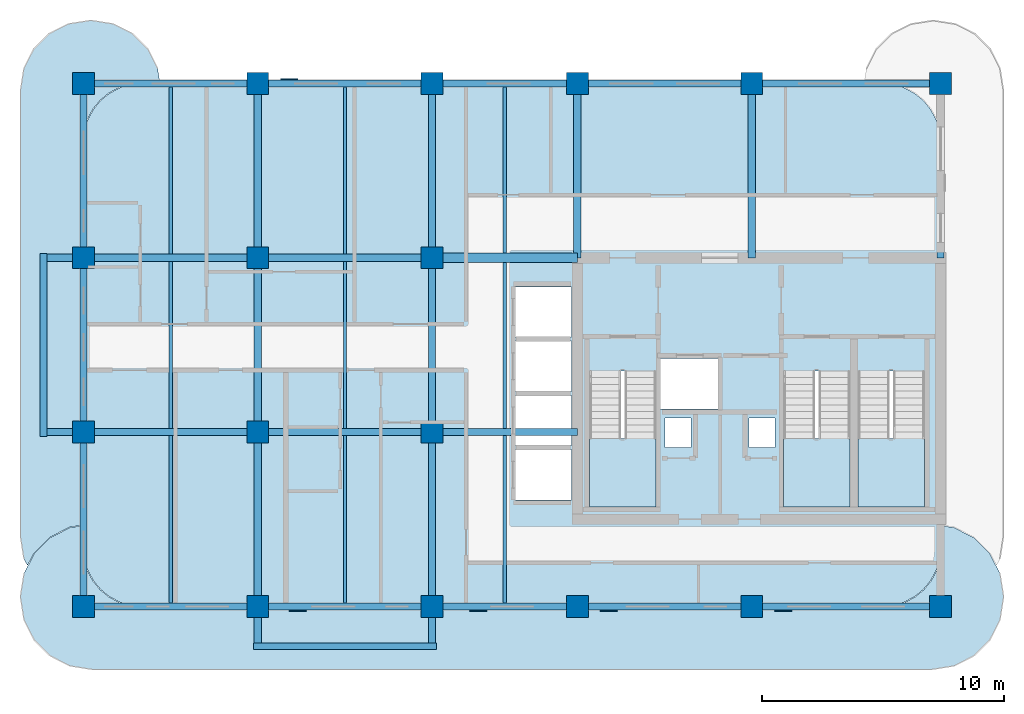
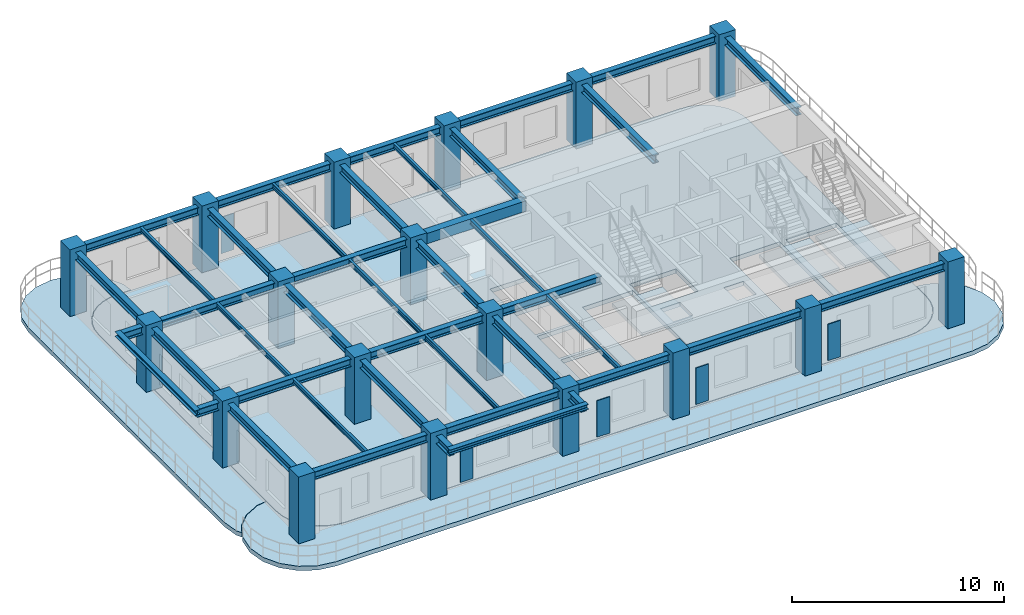
# One storey, part 1 of 8: 39 beams, 18 columns, 6 slabs, 5 plates, 3 elements without a shape of their own.
"""IFC4 building model written with IfcOpenShell, lengths in metres."""

from ifc_helpers import new_model, si_unit, derived_unit, direction, frame, origin, origin_2d, place, context, subcontext, project, spatial, polyline, rectangle, i_section, outline, extrude, source, transform, mapped, material, layer, layer_set, material_profile, profile_set, type_object, type_shapes, element, aggregate, save


model = new_model("IFC4")

# Units and contexts
model_context = context("Model", 3, precision=1e-05, world=origin(), true_north=direction((0.0, 1.0)))
body_context = subcontext(model_context, "Body", "Model", "MODEL_VIEW")
ifc_project = project(units=[si_unit("LENGTHUNIT", "METRE"), si_unit("AREAUNIT", "SQUARE_METRE"), si_unit("VOLUMEUNIT", "CUBIC_METRE"), si_unit("PLANEANGLEUNIT", "RADIAN"), si_unit("MASSUNIT", "GRAM", prefix="KILO"), si_unit("THERMODYNAMICTEMPERATUREUNIT", "KELVIN"), si_unit("POWERUNIT", "WATT"), derived_unit("THERMALTRANSMITTANCEUNIT", [(si_unit("POWERUNIT", "WATT"), 1), (si_unit("AREAUNIT", "SQUARE_METRE"), -1), (si_unit("THERMODYNAMICTEMPERATUREUNIT", "KELVIN"), -1)])], contexts=[model_context])

# Site, building, storey
site_placement = place(None, origin())
site = spatial("IfcSite", under=ifc_project, at=site_placement, CompositionType="ELEMENT")
building_placement = place(site_placement, origin())
building = spatial("IfcBuilding", under=site, at=building_placement, Name="Zahravan Archway Hotel and Residences", CompositionType="ELEMENT")
storey_placement = place(building_placement, frame((0.0, 0.0, 232.699951171875)))
storey = spatial("IfcBuildingStorey", under=building, at=storey_placement, Name="L58", CompositionType="ELEMENT", Elevation=232.699951171875)

# Columns
ifc_material_1 = material(Name="Concrete C60/75", Category="concrete")
ifc_material_profile_1 = material_profile(ifc_material_1, rectangle(XDim=0.89990234375, YDim=0.89990234375, at=origin_2d()), Name="RC-COL-900x900", Category="concrete")
ifc_profile_set_1 = profile_set([ifc_material_profile_1], Name="Concrete C60/75")
column_type = type_object("IfcColumnType", Name="COL-RC-900", PredefinedType="COLUMN", material=ifc_profile_set_1)
shared_shape_1 = source(origin(), body_context, "Body", "SweptSolid", [
    extrude(rectangle(XDim=0.89990234375, YDim=0.89990234375, at=origin_2d()), origin(), (0.0, 0.0, 1.0), 3.85009765625),
])
type_shapes(column_type, [shared_shape_1])
for number, where, z_axis, x_axis, name in (
    (1, (14.39990234375, 0.0, 0.0), (0.0, 0.0, 1.0), (1.0, 0.0, 0.0), "L58 Column 3-A"),
    (2, (14.39990234375, 7.199951171875, 0.0), (0.0, 0.0, 1.0), (1.0, 0.0, 0.0), "L58 Column 3-B"),
    (3, (14.39990234375, 14.39990234375, 0.0), (0.0, 0.0, 1.0), (1.0, 0.0, 0.0), "L58 Column 3-C"),
    (4, (14.39990234375, 21.60009765625, 0.0), (0.0, 0.0, 1.0), (1.0, 0.0, 0.0), "L58 Column 3-D"),
    (5, (21.60009765625, 0.0, 0.0), (0.0, 0.0, 1.0), (1.0, 0.0, 0.0), "L58 Column 4-A"),
    (6, (21.60009765625, 7.199951171875, 0.0), (0.0, 0.0, 1.0), (1.0, 0.0, 0.0), "L58 Column 4-B"),
    (7, (21.60009765625, 14.39990234375, 0.0), (0.0, 0.0, 1.0), (1.0, 0.0, 0.0), "L58 Column 4-C"),
    (8, (21.60009765625, 21.60009765625, 0.0), (0.0, 0.0, 1.0), (1.0, 0.0, 0.0), "L58 Column 4-D"),
    (9, (28.800048828125, 0.0, 0.0), (0.0, 0.0, 1.0), (1.0, 0.0, 0.0), "L58 Column 5-A"),
    (10, (28.800048828125, 7.199951171875, 0.0), (0.0, 0.0, 1.0), (1.0, 0.0, 0.0), "L58 Column 5-B"),
    (11, (28.800048828125, 14.39990234375, 0.0), (0.0, 0.0, 1.0), (1.0, 0.0, 0.0), "L58 Column 5-C"),
    (12, (28.800048828125, 21.60009765625, 0.0), (0.0, 0.0, 1.0), (1.0, 0.0, 0.0), "L58 Column 5-D"),
    (13, (34.800048828125, 0.0, 0.0), (0.0, 0.0, 1.0), (1.0, 0.0, 0.0), "L58 Column 6-A"),
    (14, (34.800048828125, 21.60009765625, 0.0), (0.0, 0.0, 1.0), (1.0, 0.0, 0.0), "L58 Column 6-D"),
    (15, (42.0, 0.0, 0.0), (0.0, 0.0, 1.0), (1.0, 0.0, 0.0), "L58 Column 7-A"),
    (16, (42.0, 21.60009765625, 0.0), (0.0, 0.0, 1.0), (1.0, 0.0, 0.0), "L58 Column 7-D"),
    (17, (49.800048828125, 0.0, 0.0), (0.0, 0.0, 1.0), (1.0, 0.0, 0.0), "L58 Column 8-A"),
    (18, (49.800048828125, 21.60009765625, 0.0), (0.0, 0.0, 1.0), (1.0, 0.0, 0.0), "L58 Column 8-D"),
):
    element("IfcColumn", number, at=place(storey_placement, frame(where, z_axis=z_axis, x_axis=x_axis)), inside=storey, type_object=column_type, Name=name, PredefinedType="COLUMN", context=body_context, shape_type="MappedRepresentation", body=[
        mapped(shared_shape_1, transform((0.0, 0.0, 0.0), scale=1.0)),
    ])

# Beams
ifc_material_2 = material(Name="Structural Steel S355JR", Category="steel")
ifc_material_profile_2 = material_profile(ifc_material_2, i_section(OverallWidth=0.280029296875, OverallDepth=0.280029296875, WebThickness=0.010498046875, FlangeThickness=0.01806640625, FilletRadius=0.02392578125, at=origin_2d()), Name="HEB 280", Category="steel")
ifc_profile_set_2 = profile_set([ifc_material_profile_2], Name="Structural Steel S355JR")
beam_type_1 = type_object("IfcBeamType", Name="BM-SPN-HEB280", PredefinedType="SPANDREL", material=ifc_profile_set_2)
shared_shape_2 = source(origin(), body_context, "Body", "SweptSolid", [
    extrude(i_section(OverallWidth=0.280029296875, OverallDepth=0.280029296875, WebThickness=0.010498046875, FlangeThickness=0.01806640625, FilletRadius=0.02392578125, at=origin_2d()), origin(), (0.0, 0.0, 1.0), 7.56005859375),
])
type_shapes(beam_type_1, [shared_shape_2])
for number, where, z_axis, x_axis, name in (
    (19, (12.75, 7.02001953125, 3.4599609375), (0.0, 1.0, 0.0), (-1.0, 0.0, 0.0), "L59 WA Balcony Edge Spandrel"),
    (20, (21.419921875, -1.64990234375, 3.4599609375), (1.0, 0.0, 0.0), (0.0, 1.0, 0.0), "L59 SA Balcony Edge Spandrel"),
):
    element("IfcBeam", number, at=place(storey_placement, frame(where, z_axis=z_axis, x_axis=x_axis)), inside=storey, type_object=beam_type_1, Name=name, PredefinedType="SPANDREL", context=body_context, shape_type="MappedRepresentation", body=[
        mapped(shared_shape_2, transform((0.0, 0.0, 0.0), scale=1.0)),
    ])
ifc_material_profile_3 = material_profile(ifc_material_1, rectangle(XDim=0.39990234375, YDim=0.60009765625, at=origin_2d()), Name="RC-LNT-400x600", Category="concrete")
ifc_profile_set_3 = profile_set([ifc_material_profile_3], Name="Concrete C60/75")
beam_type_2 = type_object("IfcBeamType", Name="LNT-RC-400x600", PredefinedType="LINTEL", material=ifc_profile_set_3)
shared_shape_3 = source(origin(), body_context, "Body", "SweptSolid", [
    extrude(rectangle(XDim=0.39990234375, YDim=0.60009765625, at=origin_2d()), origin(), (0.0, 0.0, 1.0), 6.0),
])
type_shapes(beam_type_2, [shared_shape_3])
beam_placement = place(storey_placement, frame((28.800048828125, 14.39990234375, 3.300048828125), z_axis=(1.0, 0.0, 0.0), x_axis=(0.0, 1.0, 0.0)))
element("IfcBeam", 21, at=beam_placement, inside=storey, type_object=beam_type_2, Name="L58 Core A Coupling Lintel Beam", PredefinedType="LINTEL", context=body_context, shape_type="MappedRepresentation", body=[
    mapped(shared_shape_3, transform((0.0, 0.0, 0.0), scale=1.0)),
])
ifc_material_profile_4 = material_profile(ifc_material_2, i_section(OverallWidth=0.300048828125, OverallDepth=0.449951171875, WebThickness=0.013916015625, FlangeThickness=0.02587890625, FilletRadius=0.027099609375, at=origin_2d()), Name="HEB 450", Category="steel")
ifc_profile_set_4 = profile_set([ifc_material_profile_4], Name="Structural Steel S355JR")
beam_type_3 = type_object("IfcBeamType", Name="BM-PRI-HEB450", PredefinedType="BEAM", material=ifc_profile_set_4)
shared_shape_4 = source(origin(), body_context, "Body", "SweptSolid", [
    extrude(i_section(OverallWidth=0.300048828125, OverallDepth=0.449951171875, WebThickness=0.013916015625, FlangeThickness=0.02587890625, FilletRadius=0.027099609375, at=origin_2d()), origin(), (0.0, 0.0, 1.0), 7.2001953125),
])
type_shapes(beam_type_3, [shared_shape_4])
for number, where, z_axis, x_axis, name in (
    (22, (14.39990234375, 0.0, 3.375), (1.0, 0.0, 0.0), (0.0, 1.0, 0.0), "L58 Primary Girder EW-01"),
    (23, (14.39990234375, 21.60009765625, 3.375), (1.0, 0.0, 0.0), (0.0, 1.0, 0.0), "L58 Primary Girder EW-11"),
    (24, (14.39990234375, 14.39990234375, 3.375), (0.0, 1.0, 0.0), (-1.0, 0.0, 0.0), "L58 Primary Girder NS-18"),
    (25, (21.60009765625, 14.39990234375, 3.375), (0.0, 1.0, 0.0), (-1.0, 0.0, 0.0), "L58 Primary Girder NS-21"),
    (26, (28.800048828125, 14.39990234375, 3.375), (0.0, 1.0, 0.0), (-1.0, 0.0, 0.0), "L58 Primary Girder NS-24"),
    (27, (34.800048828125, 14.39990234375, 3.375), (0.0, 1.0, 0.0), (-1.0, 0.0, 0.0), "L58 Primary Girder NS-25"),
    (28, (42.0, 14.39990234375, 3.375), (0.0, 1.0, 0.0), (-1.0, 0.0, 0.0), "L58 Primary Girder NS-26"),
    (29, (49.800048828125, 14.39990234375, 3.375), (0.0, 1.0, 0.0), (-1.0, 0.0, 0.0), "L58 Primary Girder NS-27"),
):
    element("IfcBeam", number, at=place(storey_placement, frame(where, z_axis=z_axis, x_axis=x_axis)), inside=storey, type_object=beam_type_3, Name=name, PredefinedType="BEAM", context=body_context, shape_type="MappedRepresentation", body=[
        mapped(shared_shape_4, transform((0.0, 0.0, 0.0), scale=1.0)),
    ])
shared_shape_5 = source(origin(), body_context, "Body", "SweptSolid", [
    extrude(i_section(OverallWidth=0.300048828125, OverallDepth=0.449951171875, WebThickness=0.013916015625, FlangeThickness=0.02587890625, FilletRadius=0.027099609375, at=origin_2d()), origin(), (0.0, 0.0, 1.0), 7.199951171875),
])
for number, where, z_axis, x_axis, name in (
    (30, (21.60009765625, 0.0, 3.375), (1.0, 0.0, 0.0), (0.0, 1.0, 0.0), "L58 Primary Girder EW-02"),
    (31, (34.800048828125, 0.0, 3.375), (1.0, 0.0, 0.0), (0.0, 1.0, 0.0), "L58 Primary Girder EW-04"),
    (32, (21.60009765625, 7.199951171875, 3.375), (1.0, 0.0, 0.0), (0.0, 1.0, 0.0), "L58 Primary Girder EW-07"),
    (33, (21.60009765625, 14.39990234375, 3.375), (1.0, 0.0, 0.0), (0.0, 1.0, 0.0), "L58 Primary Girder EW-10"),
    (34, (21.60009765625, 21.60009765625, 3.375), (1.0, 0.0, 0.0), (0.0, 1.0, 0.0), "L58 Primary Girder EW-12"),
    (35, (34.800048828125, 21.60009765625, 3.375), (1.0, 0.0, 0.0), (0.0, 1.0, 0.0), "L58 Primary Girder EW-14"),
    (36, (14.39990234375, 0.0, 3.375), (0.0, 1.0, 0.0), (-1.0, 0.0, 0.0), "L58 Primary Girder NS-16"),
    (37, (14.39990234375, 7.199951171875, 3.375), (0.0, 1.0, 0.0), (-1.0, 0.0, 0.0), "L58 Primary Girder NS-17"),
    (38, (21.60009765625, 7.199951171875, 3.375), (0.0, 1.0, 0.0), (-1.0, 0.0, 0.0), "L58 Primary Girder NS-20"),
    (39, (28.800048828125, 7.199951171875, 3.375), (0.0, 1.0, 0.0), (-1.0, 0.0, 0.0), "L58 Primary Girder NS-23"),
):
    element("IfcBeam", number, at=place(storey_placement, frame(where, z_axis=z_axis, x_axis=x_axis)), inside=storey, type_object=beam_type_3, Name=name, PredefinedType="BEAM", context=body_context, shape_type="MappedRepresentation", body=[
        mapped(shared_shape_5, transform((0.0, 0.0, 0.0), scale=1.0)),
    ])
shared_shape_6 = source(origin(), body_context, "Body", "SweptSolid", [
    extrude(i_section(OverallWidth=0.300048828125, OverallDepth=0.449951171875, WebThickness=0.013916015625, FlangeThickness=0.02587890625, FilletRadius=0.027099609375, at=origin_2d()), origin(), (0.0, 0.0, 1.0), 6.0),
])
for number, where, z_axis, x_axis, name in (
    (40, (28.800048828125, 0.0, 3.375), (1.0, 0.0, 0.0), (0.0, 1.0, 0.0), "L58 Primary Girder EW-03"),
    (41, (28.800048828125, 7.199951171875, 3.375), (1.0, 0.0, 0.0), (0.0, 1.0, 0.0), "L58 Primary Girder EW-08"),
    (42, (28.800048828125, 21.60009765625, 3.375), (1.0, 0.0, 0.0), (0.0, 1.0, 0.0), "L58 Primary Girder EW-13"),
):
    element("IfcBeam", number, at=place(storey_placement, frame(where, z_axis=z_axis, x_axis=x_axis)), inside=storey, type_object=beam_type_3, Name=name, PredefinedType="BEAM", context=body_context, shape_type="MappedRepresentation", body=[
        mapped(shared_shape_6, transform((0.0, 0.0, 0.0), scale=1.0)),
    ])
shared_shape_7 = source(origin(), body_context, "Body", "SweptSolid", [
    extrude(i_section(OverallWidth=0.300048828125, OverallDepth=0.449951171875, WebThickness=0.013916015625, FlangeThickness=0.02587890625, FilletRadius=0.027099609375, at=origin_2d()), origin(), (0.0, 0.0, 1.0), 7.800048828125),
])
for number, where, z_axis, x_axis, name in (
    (43, (42.0, 0.0, 3.375), (1.0, 0.0, 0.0), (0.0, 1.0, 0.0), "L58 Primary Girder EW-05"),
    (44, (42.0, 21.60009765625, 3.375), (1.0, 0.0, 0.0), (0.0, 1.0, 0.0), "L58 Primary Girder EW-15"),
):
    element("IfcBeam", number, at=place(storey_placement, frame(where, z_axis=z_axis, x_axis=x_axis)), inside=storey, type_object=beam_type_3, Name=name, PredefinedType="BEAM", context=body_context, shape_type="MappedRepresentation", body=[
        mapped(shared_shape_7, transform((0.0, 0.0, 0.0), scale=1.0)),
    ])
ifc_material_profile_5 = material_profile(ifc_material_2, i_section(OverallWidth=0.135009765625, OverallDepth=0.27001953125, WebThickness=0.006591796875, FlangeThickness=0.01025390625, FilletRadius=0.014892578125, at=origin_2d()), Name="IPE 270", Category="steel")
ifc_profile_set_5 = profile_set([ifc_material_profile_5], Name="Structural Steel S355JR")
beam_type_4 = type_object("IfcBeamType", Name="BM-JST-IPE270", PredefinedType="JOIST", material=ifc_profile_set_5)
shared_shape_8 = source(origin(), body_context, "Body", "SweptSolid", [
    extrude(i_section(OverallWidth=0.135009765625, OverallDepth=0.27001953125, WebThickness=0.006591796875, FlangeThickness=0.01025390625, FilletRadius=0.014892578125, at=origin_2d()), origin(), (0.0, 0.0, 1.0), 6.904052734375),
])
type_shapes(beam_type_4, [shared_shape_8])
for number, where, z_axis, x_axis, name in (
    (45, (18.0, 0.14794921875, 3.465087890625), (0.0, 1.0, 0.0), (-1.0, 0.0, 0.0), "L58 Composite Floor Joist 01"),
    (46, (25.199951171875, 0.14794921875, 3.465087890625), (0.0, 1.0, 0.0), (-1.0, 0.0, 0.0), "L58 Composite Floor Joist 02"),
    (47, (31.800048828125, 0.14794921875, 3.465087890625), (0.0, 1.0, 0.0), (-1.0, 0.0, 0.0), "L58 Composite Floor Joist 03"),
    (48, (18.0, 7.347900390625, 3.465087890625), (0.0, 1.0, 0.0), (-1.0, 0.0, 0.0), "L58 Composite Floor Joist 04"),
    (49, (25.199951171875, 7.347900390625, 3.465087890625), (0.0, 1.0, 0.0), (-1.0, 0.0, 0.0), "L58 Composite Floor Joist 05"),
):
    element("IfcBeam", number, at=place(storey_placement, frame(where, z_axis=z_axis, x_axis=x_axis)), inside=storey, type_object=beam_type_4, Name=name, PredefinedType="JOIST", context=body_context, shape_type="MappedRepresentation", body=[
        mapped(shared_shape_8, transform((0.0, 0.0, 0.0), scale=1.0)),
    ])
shared_shape_9 = source(origin(), body_context, "Body", "SweptSolid", [
    extrude(i_section(OverallWidth=0.135009765625, OverallDepth=0.27001953125, WebThickness=0.006591796875, FlangeThickness=0.01025390625, FilletRadius=0.014892578125, at=origin_2d()), origin(), (0.0, 0.0, 1.0), 6.85400390625),
])
for number, where, z_axis, x_axis, name in (
    (50, (31.800048828125, 7.347900390625, 3.465087890625), (0.0, 1.0, 0.0), (-1.0, 0.0, 0.0), "L58 Composite Floor Joist 06"),
    (51, (31.800048828125, 14.597900390625, 3.465087890625), (0.0, 1.0, 0.0), (-1.0, 0.0, 0.0), "L58 Composite Floor Joist 07"),
):
    element("IfcBeam", number, at=place(storey_placement, frame(where, z_axis=z_axis, x_axis=x_axis)), inside=storey, type_object=beam_type_4, Name=name, PredefinedType="JOIST", context=body_context, shape_type="MappedRepresentation", body=[
        mapped(shared_shape_9, transform((0.0, 0.0, 0.0), scale=1.0)),
    ])
shared_shape_10 = source(origin(), body_context, "Body", "SweptSolid", [
    extrude(i_section(OverallWidth=0.135009765625, OverallDepth=0.27001953125, WebThickness=0.006591796875, FlangeThickness=0.01025390625, FilletRadius=0.014892578125, at=origin_2d()), origin(), (0.0, 0.0, 1.0), 6.90380859375),
])
for number, where, z_axis, x_axis, name in (
    (52, (18.0, 14.548095703125, 3.465087890625), (0.0, 1.0, 0.0), (-1.0, 0.0, 0.0), "L58 Composite Floor Joist 08"),
    (53, (25.199951171875, 14.548095703125, 3.465087890625), (0.0, 1.0, 0.0), (-1.0, 0.0, 0.0), "L58 Composite Floor Joist 09"),
):
    element("IfcBeam", number, at=place(storey_placement, frame(where, z_axis=z_axis, x_axis=x_axis)), inside=storey, type_object=beam_type_4, Name=name, PredefinedType="JOIST", context=body_context, shape_type="MappedRepresentation", body=[
        mapped(shared_shape_10, transform((0.0, 0.0, 0.0), scale=1.0)),
    ])
shared_shape_11 = source(origin(), body_context, "Body", "SweptSolid", [
    extrude(i_section(OverallWidth=0.300048828125, OverallDepth=0.449951171875, WebThickness=0.013916015625, FlangeThickness=0.02587890625, FilletRadius=0.027099609375, at=origin_2d()), origin(), (0.0, 0.0, 1.0), 8.85009765625),
])
for number, where, z_axis, x_axis, name in (
    (54, (12.75, 7.199951171875, 3.375), (1.0, 0.0, 0.0), (0.0, 1.0, 0.0), "L58 Primary Girder EW-06"),
    (55, (12.75, 14.39990234375, 3.375), (1.0, 0.0, 0.0), (0.0, 1.0, 0.0), "L58 Primary Girder EW-09"),
):
    element("IfcBeam", number, at=place(storey_placement, frame(where, z_axis=z_axis, x_axis=x_axis)), inside=storey, type_object=beam_type_3, Name=name, PredefinedType="BEAM", context=body_context, shape_type="MappedRepresentation", body=[
        mapped(shared_shape_11, transform((0.0, 0.0, 0.0), scale=1.0)),
    ])
shared_shape_12 = source(origin(), body_context, "Body", "SweptSolid", [
    extrude(i_section(OverallWidth=0.300048828125, OverallDepth=0.449951171875, WebThickness=0.013916015625, FlangeThickness=0.02587890625, FilletRadius=0.027099609375, at=origin_2d()), origin(), (0.0, 0.0, 1.0), 8.849853515625),
])
for number, where, z_axis, x_axis, name in (
    (56, (21.60009765625, -1.64990234375, 3.375), (0.0, 1.0, 0.0), (-1.0, 0.0, 0.0), "L58 Primary Girder NS-19"),
    (57, (28.800048828125, -1.64990234375, 3.375), (0.0, 1.0, 0.0), (-1.0, 0.0, 0.0), "L58 Primary Girder NS-22"),
):
    element("IfcBeam", number, at=place(storey_placement, frame(where, z_axis=z_axis, x_axis=x_axis)), inside=storey, type_object=beam_type_3, Name=name, PredefinedType="BEAM", context=body_context, shape_type="MappedRepresentation", body=[
        mapped(shared_shape_12, transform((0.0, 0.0, 0.0), scale=1.0)),
    ])

# Slabs
ifc_material_3 = material(Name="Concrete C45/55", Category="concrete")
ifc_layer_1 = layer(ifc_material_3, 0.25, Name="Concrete C45/55", Category="concrete")
ifc_layer_set_1 = layer_set([ifc_layer_1], Name="Concrete C45/55")
slab_type_1 = type_object("IfcSlabType", Name="SLB-BALC-250", PredefinedType="FLOOR", material=ifc_layer_set_1)
slab_1_placement = place(storey_placement, frame((0.0, 0.0, -0.25)))
element("IfcSlab", 58, at=slab_1_placement, inside=storey, type_object=slab_type_1, Name="L58 Wing A South Rounded Balcony Band", PredefinedType="FLOOR", context=body_context, shape_type="SweptSolid", body=[
    extrude(outline(polyline([(50.361572265625, 3.255615234375), (51.18408203125, 2.836669921875), (51.836669921875, 2.18408203125), (52.255615234375, 1.361572265625), (52.39990234375, 0.449951171875), (52.39990234375, 0.35009765625), (52.255615234375, -0.5615234375), (51.836669921875, -1.384033203125), (51.18408203125, -2.03662109375), (50.361572265625, -2.45556640625), (49.449951171875, -2.60009765625), (14.75, -2.60009765625), (13.83837890625, -2.45556640625), (13.01611328125, -2.03662109375), (12.36328125, -1.384033203125), (11.9443359375, -0.5615234375), (11.800048828125, 0.35009765625), (11.800048828125, 0.449951171875), (11.9443359375, 1.361572265625), (12.36328125, 2.18408203125), (13.01611328125, 2.836669921875), (13.83837890625, 3.255615234375), (14.3798828125, 3.34130859375), (14.3798828125, 2.39990234375), (14.380126953125, 2.39794921875), (14.42626953125, 1.9296875), (14.426513671875, 1.927978515625), (14.427001953125, 1.926025390625), (14.563720703125, 1.475830078125), (14.564208984375, 1.473876953125), (14.565185546875, 1.47216796875), (14.786865234375, 1.05712890625), (14.787841796875, 1.055419921875), (14.7890625, 1.053955078125), (15.08740234375, 0.690185546875), (15.0888671875, 0.688720703125), (15.090087890625, 0.6875), (15.453857421875, 0.388916015625), (15.45556640625, 0.387939453125), (15.457275390625, 0.386962890625), (15.872314453125, 0.1650390625), (15.873779296875, 0.164306640625), (15.875732421875, 0.16357421875), (16.325927734375, 0.027099609375), (16.327880859375, 0.026611328125), (16.329833984375, 0.026123046875), (16.798095703125, -0.02001953125), (16.800048828125, -0.02001953125), (47.39990234375, -0.02001953125), (47.402099609375, -0.02001953125), (47.8701171875, 0.026123046875), (47.8720703125, 0.026611328125), (47.8740234375, 0.027099609375), (48.32421875, 0.16357421875), (48.326171875, 0.164306640625), (48.327880859375, 0.1650390625), (48.742919921875, 0.386962890625), (48.744384765625, 0.387939453125), (48.74609375, 0.388916015625), (49.10986328125, 0.6875), (49.111083984375, 0.688720703125), (49.112548828125, 0.690185546875), (49.410888671875, 1.053955078125), (49.412109375, 1.055419921875), (49.4130859375, 1.05712890625), (49.635009765625, 1.47216796875), (49.6357421875, 1.473876953125), (49.636474609375, 1.475830078125), (49.77294921875, 1.926025390625), (49.7734375, 1.927978515625), (49.773681640625, 1.9296875), (49.81982421875, 2.39794921875), (49.820068359375, 2.39990234375), (49.820068359375, 3.34130859375), (50.361572265625, 3.255615234375)])), origin(), (0.0, 0.0, 1.0), 0.25),
])
slab_2_placement = place(storey_placement, frame((0.0, 0.0, -0.25)))
element("IfcSlab", 59, at=slab_2_placement, inside=storey, type_object=slab_type_1, Name="L58 Wing A West Rounded Balcony Band", PredefinedType="FLOOR", context=body_context, shape_type="SweptSolid", body=[
    extrude(outline(polyline([(11.939453125, 1.96923828125), (11.800048828125, 2.85009765625), (11.800048828125, 21.35009765625), (11.939453125, 22.230712890625), (12.34423828125, 23.025146484375), (12.974853515625, 23.65576171875), (13.769287109375, 24.060546875), (14.64990234375, 24.199951171875), (14.75, 24.199951171875), (15.630615234375, 24.060546875), (16.42529296875, 23.65576171875), (17.0556640625, 23.025146484375), (17.46044921875, 22.230712890625), (17.55712890625, 21.6201171875), (16.800048828125, 21.6201171875), (16.798095703125, 21.619873046875), (16.329833984375, 21.57373046875), (16.327880859375, 21.573486328125), (16.325927734375, 21.572998046875), (15.875732421875, 21.436279296875), (15.873779296875, 21.435791015625), (15.872314453125, 21.434814453125), (15.457275390625, 21.213134765625), (15.45556640625, 21.212158203125), (15.453857421875, 21.2109375), (15.090087890625, 20.91259765625), (15.0888671875, 20.9111328125), (15.08740234375, 20.909912109375), (14.7890625, 20.546142578125), (14.787841796875, 20.54443359375), (14.786865234375, 20.542724609375), (14.565185546875, 20.127685546875), (14.564208984375, 20.126220703125), (14.563720703125, 20.124267578125), (14.427001953125, 19.674072265625), (14.426513671875, 19.672119140625), (14.42626953125, 19.670166015625), (14.380126953125, 19.201904296875), (14.3798828125, 19.199951171875), (14.3798828125, 3.361328125), (14.37890625, 3.361328125), (14.376953125, 3.361083984375), (13.835205078125, 3.275390625), (13.833251953125, 3.27490234375), (13.831298828125, 3.2744140625), (13.829345703125, 3.2734375), (13.0068359375, 2.8544921875), (13.005126953125, 2.853515625), (13.00341796875, 2.85205078125), (13.001953125, 2.8505859375), (12.349365234375, 2.197998046875), (12.347900390625, 2.196533203125), (12.3466796875, 2.19482421875), (12.345703125, 2.193115234375), (12.08544921875, 1.6826171875), (11.939453125, 1.96923828125)])), origin(), (0.0, 0.0, 1.0), 0.25),
])
ifc_layer_2 = layer(ifc_material_3, 0.25, Name="Concrete C45/55", Category="concrete")
ifc_layer_set_2 = layer_set([ifc_layer_2], Name="Concrete C45/55")
slab_type_2 = type_object("IfcSlabType", Name="SLB-FLR-250", PredefinedType="FLOOR", material=ifc_layer_set_2)
slab_3_placement = place(storey_placement, frame((0.0, 0.0, -0.25)))
element("IfcSlab", 60, at=slab_3_placement, inside=storey, type_object=slab_type_2, Name="L58 Floor Slab WA", PredefinedType="FLOOR", context=body_context, shape_type="SweptSolid", body=[
    extrude(outline(polyline([(47.39990234375, 0.0), (47.8681640625, 0.046142578125), (48.318359375, 0.1826171875), (48.7333984375, 0.404541015625), (49.09716796875, 0.702880859375), (49.3955078125, 1.066650390625), (49.6171875, 1.481689453125), (49.75390625, 1.931884765625), (49.800048828125, 2.39990234375), (49.800048828125, 19.199951171875), (49.75390625, 19.668212890625), (49.6171875, 20.118408203125), (49.3955078125, 20.533447265625), (49.09716796875, 20.897216796875), (48.7333984375, 21.195556640625), (48.318359375, 21.417236328125), (47.8681640625, 21.553955078125), (47.39990234375, 21.60009765625), (16.800048828125, 21.60009765625), (16.331787109375, 21.553955078125), (15.881591796875, 21.417236328125), (15.466552734375, 21.195556640625), (15.102783203125, 20.897216796875), (14.804443359375, 20.533447265625), (14.582763671875, 20.118408203125), (14.446044921875, 19.668212890625), (14.39990234375, 19.199951171875), (14.39990234375, 2.39990234375), (14.446044921875, 1.931884765625), (14.582763671875, 1.481689453125), (14.804443359375, 1.066650390625), (15.102783203125, 0.702880859375), (15.466552734375, 0.404541015625), (15.881591796875, 0.1826171875), (16.331787109375, 0.046142578125), (16.800048828125, 0.0), (47.39990234375, 0.0)]), holes=[polyline([(35.300048828125, 9.72998046875), (35.300048828125, 4.10009765625), (38.0400390625, 4.10009765625), (38.0400390625, 9.72998046875), (35.300048828125, 9.72998046875)]), polyline([(43.320068359375, 9.72998046875), (43.320068359375, 4.10009765625), (46.06005859375, 4.10009765625), (46.06005859375, 9.72998046875), (43.320068359375, 9.72998046875)]), polyline([(46.39990234375, 9.72998046875), (46.39990234375, 4.10009765625), (49.139892578125, 4.10009765625), (49.139892578125, 9.72998046875), (46.39990234375, 9.72998046875)]), polyline([(38.179931640625, 8.14990234375), (40.699951171875, 8.14990234375), (40.699951171875, 10.25), (38.179931640625, 10.25), (38.179931640625, 8.14990234375)]), polyline([(32.25, 4.39990234375), (34.550048828125, 4.39990234375), (34.550048828125, 6.47998046875), (32.25, 6.47998046875), (32.25, 4.39990234375)]), polyline([(32.25, 6.639892578125), (34.550048828125, 6.639892578125), (34.550048828125, 8.719970703125), (32.25, 8.719970703125), (32.25, 6.639892578125)]), polyline([(32.25, 8.8798828125), (34.550048828125, 8.8798828125), (34.550048828125, 10.9599609375), (32.25, 10.9599609375), (32.25, 8.8798828125)]), polyline([(32.25, 11.1201171875), (34.550048828125, 11.1201171875), (34.550048828125, 13.199951171875), (32.25, 13.199951171875), (32.25, 11.1201171875)]), polyline([(38.419921875, 6.56005859375), (39.5, 6.56005859375), (39.5, 7.780029296875), (38.419921875, 7.780029296875), (38.419921875, 6.56005859375)]), polyline([(41.89990234375, 6.56005859375), (42.9599609375, 6.56005859375), (42.9599609375, 7.780029296875), (41.89990234375, 7.780029296875), (41.89990234375, 6.56005859375)])]), origin(), (0.0, 0.0, 1.0), 0.25),
])

# Stair, slab
ifc_material_4 = material(Name="Concrete C50/60", Category="concrete")
stair_type = type_object("IfcStairType", Name="STR-CORE-1300", PredefinedType="HALF_TURN_STAIR", material=ifc_material_4)
stair_1_placement = place(storey_placement, origin())
stair_1 = element("IfcStair", 61, at=stair_1_placement, inside=storey, type_object=stair_type, Name="L58 Core A Exit Stair 1", PredefinedType="HALF_TURN_STAIR")
ifc_layer_3 = layer(ifc_material_4, 0.199951171875, Name="Concrete C50/60", Category="concrete")
ifc_layer_set_3 = layer_set([ifc_layer_3], Name="Concrete C50/60")
slab_type_3 = type_object("IfcSlabType", Name="SLB-LND-200", PredefinedType="LANDING", material=ifc_layer_set_3)
slab_4_placement = place(storey_placement, frame((0.0, 0.0, 1.72509765625)))
slab_4 = element("IfcSlab", 62, at=slab_4_placement, type_object=slab_type_3, Name="ST-A1 landing 1", PredefinedType="LANDING", context=body_context, shape_type="SweptSolid", body=[
    extrude(outline(polyline([(35.300048828125, 6.929931640625), (35.300048828125, 4.10009765625), (38.0400390625, 4.10009765625), (38.0400390625, 6.929931640625), (35.300048828125, 6.929931640625)])), origin(), (0.0, 0.0, 1.0), 0.199951171875),
])
aggregate(stair_1, [slab_4])

stair_2_placement = place(storey_placement, origin())
stair_2 = element("IfcStair", 63, at=stair_2_placement, inside=storey, type_object=stair_type, Name="L58 Core A Exit Stair 2", PredefinedType="HALF_TURN_STAIR")
slab_5_placement = place(storey_placement, frame((0.0, 0.0, 1.72509765625)))
slab_5 = element("IfcSlab", 64, at=slab_5_placement, type_object=slab_type_3, Name="ST-A2 landing 1", PredefinedType="LANDING", context=body_context, shape_type="SweptSolid", body=[
    extrude(outline(polyline([(43.320068359375, 6.929931640625), (43.320068359375, 4.10009765625), (46.06005859375, 4.10009765625), (46.06005859375, 6.929931640625), (43.320068359375, 6.929931640625)])), origin(), (0.0, 0.0, 1.0), 0.199951171875),
])
aggregate(stair_2, [slab_5])

stair_3_placement = place(storey_placement, origin())
stair_3 = element("IfcStair", 65, at=stair_3_placement, inside=storey, type_object=stair_type, Name="L58 Core A Exit Stair 3", PredefinedType="HALF_TURN_STAIR")
slab_6_placement = place(storey_placement, frame((0.0, 0.0, 1.72509765625)))
slab_6 = element("IfcSlab", 66, at=slab_6_placement, type_object=slab_type_3, Name="ST-A3 landing 1", PredefinedType="LANDING", context=body_context, shape_type="SweptSolid", body=[
    extrude(outline(polyline([(46.39990234375, 6.929931640625), (46.39990234375, 4.10009765625), (49.139892578125, 4.10009765625), (49.139892578125, 6.929931640625), (46.39990234375, 6.929931640625)])), origin(), (0.0, 0.0, 1.0), 0.199951171875),
])
aggregate(stair_3, [slab_6])

# Plates
ifc_material_5 = material(Name="Perforated Cast Bronze Jali Lattice")
ifc_layer_4 = layer(ifc_material_5, 0.044921875, Name="Perforated Cast Bronze Jali Lattice")
ifc_layer_set_4 = layer_set([ifc_layer_4], Name="Perforated Cast Bronze Jali Lattice")
plate_type = type_object("IfcPlateType", Name="PLT-JALI-BAY", PredefinedType="USERDEFINED", material=ifc_layer_set_4)
shared_shape_13 = source(origin(), body_context, "Body", "SweptSolid", [
    extrude(rectangle(XDim=0.699951171875, YDim=0.044921875, at=origin_2d()), origin(), (0.0, 0.0, 1.0), 2.10009765625),
])
type_shapes(plate_type, [shared_shape_13])
for number, where, z_axis, x_axis, name in (
    (67, (23.258056640625, -0.177978515625, 0.25), (0.0, 0.0, 1.0), (1.0, 0.0, 0.0), "L58 Perforated Bronze Jali Pier Screen 01"),
    (68, (30.7080078125, -0.177978515625, 0.25), (0.0, 0.0, 1.0), (1.0, 0.0, 0.0), "L58 Perforated Bronze Jali Pier Screen 02"),
    (69, (36.10009765625, -0.177978515625, 0.25), (0.0, 0.0, 1.0), (1.0, 0.0, 0.0), "L58 Perforated Bronze Jali Pier Screen 03"),
    (70, (43.300048828125, -0.177978515625, 0.25), (0.0, 0.0, 1.0), (1.0, 0.0, 0.0), "L58 Perforated Bronze Jali Pier Screen 04"),
    (71, (22.89990234375, 21.778076171875, 0.25), (0.0, 0.0, 1.0), (1.0, 0.0, 0.0), "L58 Perforated Bronze Jali Pier Screen 06"),
):
    element("IfcPlate", number, at=place(storey_placement, frame(where, z_axis=z_axis, x_axis=x_axis)), inside=storey, type_object=plate_type, Name=name, ObjectType="SCREEN", PredefinedType="USERDEFINED", context=body_context, shape_type="MappedRepresentation", body=[
        mapped(shared_shape_13, transform((0.0, 0.0, 0.0), scale=1.0)),
    ])

save(model, "model.ifc")
